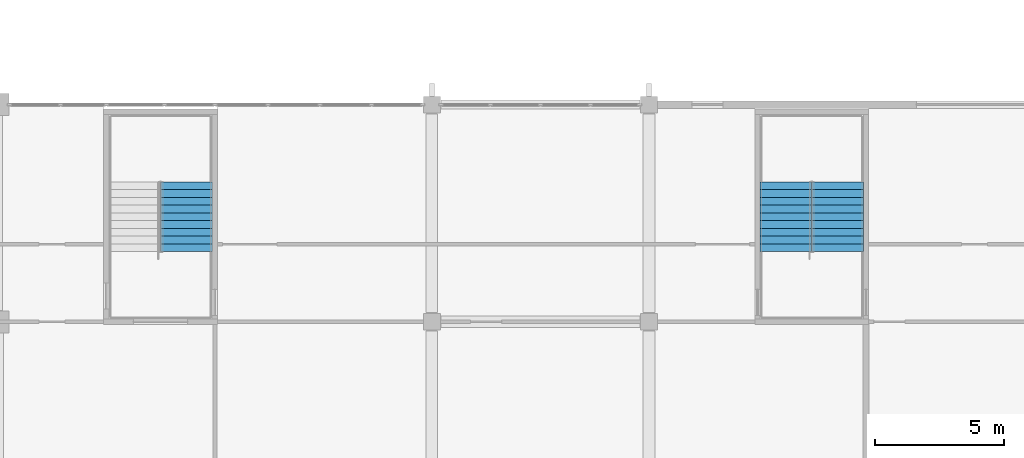
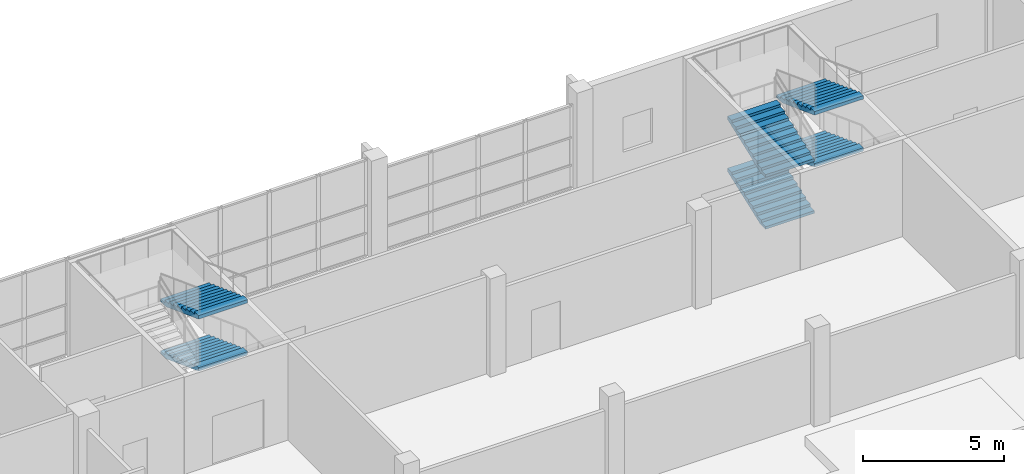
# One storey, part 46 of 64: 6 stair flights, 2 elements without a shape of their own.
"""IFC4 building model written with IfcOpenShell, lengths in metres."""

from ifc_helpers import new_model, si_unit, direction, frame, origin, place, context, subcontext, project, spatial, faceted_brep, material, type_object, element, aggregate, save


model = new_model("IFC4")

# Units and contexts
model_context = context("Model", 3, precision=1e-05, world=origin(), true_north=direction((0.0, 1.0)))
body_context = subcontext(model_context, "Body", "Model", "MODEL_VIEW")
ifc_project = project(units=[si_unit("LENGTHUNIT", "METRE"), si_unit("AREAUNIT", "SQUARE_METRE"), si_unit("VOLUMEUNIT", "CUBIC_METRE"), si_unit("PLANEANGLEUNIT", "RADIAN"), si_unit("MASSUNIT", "GRAM", prefix="KILO")], contexts=[model_context])

# Site, building, storey
site_placement = place(None, origin())
site = spatial("IfcSite", under=ifc_project, at=site_placement, CompositionType="ELEMENT")
building_placement = place(site_placement, origin())
building = spatial("IfcBuilding", under=site, at=building_placement, Name="Rulbaag Community and Learning Centre", CompositionType="ELEMENT")
storey_placement = place(building_placement, frame((0.0, 0.0, 5.39990234375)))
storey = spatial("IfcBuildingStorey", under=building, at=storey_placement, Name="L01", CompositionType="ELEMENT", Elevation=5.39990234375)

# Stair, stair flights
ifc_material = material(Name="Concrete M40", Category="concrete")
stair_type = type_object("IfcStairType", Name="ST-2000 STAIR 2000 WIDE", PredefinedType="HALF_TURN_STAIR", material=ifc_material)
stair_1_placement = place(storey_placement, origin())
stair_1 = element("IfcStair", 1, at=stair_1_placement, inside=storey, type_object=stair_type, Name="Stair ST-H6 L01", PredefinedType="HALF_TURN_STAIR")
stair_flight_type = type_object("IfcStairFlightType", Name="FL-2000 FLIGHT 2000 WIDE Concrete M40", PredefinedType="STRAIGHT", material=ifc_material)
stair_flight_1_placement = place(storey_placement, frame((91.300048828125, 47.41259765625, 1.125), z_axis=(0.0, 0.0, 1.0), x_axis=(0.0, -1.0, 0.0)))
stair_flight_1 = element("IfcStairFlight", 2, at=stair_flight_1_placement, type_object=stair_flight_type, Name="ST-H6 flight 2", NumberOfRisers=10, NumberOfTreads=9, PredefinedType="STRAIGHT", RiserHeight=0.1125, TreadLength=0.3, context=body_context, shape_type="Brep", body=[
    faceted_brep([(0.3984375, -1.0, 0.0), (2.699951171875, -1.0, 0.863037109375), (2.699951171875, -1.0, 1.012451171875), (2.39990234375, -1.0, 1.012451171875), (2.39990234375, -1.0, 0.89990234375), (2.10009765625, -1.0, 0.89990234375), (2.10009765625, -1.0, 0.78759765625), (1.800048828125, -1.0, 0.78759765625), (1.800048828125, -1.0, 0.675048828125), (1.5, -1.0, 0.675048828125), (1.5, -1.0, 0.5625), (1.199951171875, -1.0, 0.5625), (1.199951171875, -1.0, 0.449951171875), (0.89990234375, -1.0, 0.449951171875), (0.89990234375, -1.0, 0.33740234375), (0.60009765625, -1.0, 0.33740234375), (0.60009765625, -1.0, 0.22509765625), (0.300048828125, -1.0, 0.22509765625), (0.300048828125, -1.0, 0.112548828125), (0.0, -1.0, 0.112548828125), (0.0, -1.0, 0.0), (0.0, 1.0, 0.0), (0.0, 1.0, 0.112548828125), (0.300048828125, 1.0, 0.112548828125), (0.300048828125, 1.0, 0.22509765625), (0.60009765625, 1.0, 0.22509765625), (0.60009765625, 1.0, 0.33740234375), (0.89990234375, 1.0, 0.33740234375), (0.89990234375, 1.0, 0.449951171875), (1.199951171875, 1.0, 0.449951171875), (1.199951171875, 1.0, 0.5625), (1.5, 1.0, 0.5625), (1.5, 1.0, 0.675048828125), (1.800048828125, 1.0, 0.675048828125), (1.800048828125, 1.0, 0.78759765625), (2.10009765625, 1.0, 0.78759765625), (2.10009765625, 1.0, 0.89990234375), (2.39990234375, 1.0, 0.89990234375), (2.39990234375, 1.0, 1.012451171875), (2.699951171875, 1.0, 1.012451171875), (2.699951171875, 1.0, 0.863037109375), (0.3984375, 1.0, 0.0), (0.0, -0.333251953125, 0.112548828125), (0.0, -0.333251953125, 0.0), (0.0, 0.333251953125, 0.112548828125), (0.0, 0.333251953125, 0.0), (0.300048828125, -0.333251953125, 0.112548828125), (0.300048828125, 0.333251953125, 0.112548828125), (0.300048828125, -0.333251953125, 0.22509765625), (0.300048828125, 0.333251953125, 0.22509765625), (0.60009765625, -0.333251953125, 0.22509765625), (0.60009765625, 0.333251953125, 0.22509765625), (0.60009765625, -0.333251953125, 0.33740234375), (0.60009765625, 0.333251953125, 0.33740234375), (0.89990234375, -0.333251953125, 0.33740234375), (0.89990234375, 0.333251953125, 0.33740234375), (0.89990234375, -0.333251953125, 0.449951171875), (0.89990234375, 0.333251953125, 0.449951171875), (1.199951171875, -0.333251953125, 0.449951171875), (1.199951171875, 0.333251953125, 0.449951171875), (1.199951171875, -0.333251953125, 0.5625), (1.199951171875, 0.333251953125, 0.5625), (1.5, -0.333251953125, 0.5625), (1.5, 0.333251953125, 0.5625), (1.5, -0.333251953125, 0.675048828125), (1.5, 0.333251953125, 0.675048828125), (1.800048828125, -0.333251953125, 0.675048828125), (1.800048828125, 0.333251953125, 0.675048828125), (1.800048828125, -0.333251953125, 0.78759765625), (1.800048828125, 0.333251953125, 0.78759765625), (2.10009765625, -0.333251953125, 0.78759765625), (2.10009765625, 0.333251953125, 0.78759765625), (2.10009765625, -0.333251953125, 0.89990234375), (2.10009765625, 0.333251953125, 0.89990234375), (2.39990234375, -0.333251953125, 0.89990234375), (2.39990234375, 0.333251953125, 0.89990234375), (2.39990234375, -0.333251953125, 1.012451171875), (2.39990234375, 0.333251953125, 1.012451171875), (2.699951171875, -0.333251953125, 1.012451171875), (2.699951171875, 0.333251953125, 1.012451171875), (2.699951171875, -0.333251953125, 0.863037109375), (2.699951171875, 0.333251953125, 0.863037109375), (0.3984375, -0.333251953125, 0.0), (0.3984375, 0.333251953125, 0.0)], [[[0, 1, 2, 3, 4, 5, 6, 7, 8, 9, 10, 11, 12, 13, 14, 15, 16, 17, 18, 19, 20]], [[21, 22, 23, 24, 25, 26, 27, 28, 29, 30, 31, 32, 33, 34, 35, 36, 37, 38, 39, 40, 41]], [[20, 19, 42, 43]], [[43, 42, 44, 45]], [[45, 44, 22, 21]], [[19, 18, 46, 42]], [[42, 46, 47, 44]], [[44, 47, 23, 22]], [[18, 17, 48, 46]], [[46, 48, 49, 47]], [[47, 49, 24, 23]], [[17, 16, 50, 48]], [[48, 50, 51, 49]], [[49, 51, 25, 24]], [[16, 15, 52, 50]], [[50, 52, 53, 51]], [[51, 53, 26, 25]], [[15, 14, 54, 52]], [[52, 54, 55, 53]], [[53, 55, 27, 26]], [[14, 13, 56, 54]], [[54, 56, 57, 55]], [[55, 57, 28, 27]], [[13, 12, 58, 56]], [[56, 58, 59, 57]], [[57, 59, 29, 28]], [[12, 11, 60, 58]], [[58, 60, 61, 59]], [[59, 61, 30, 29]], [[11, 10, 62, 60]], [[60, 62, 63, 61]], [[61, 63, 31, 30]], [[10, 9, 64, 62]], [[62, 64, 65, 63]], [[63, 65, 32, 31]], [[9, 8, 66, 64]], [[64, 66, 67, 65]], [[65, 67, 33, 32]], [[8, 7, 68, 66]], [[66, 68, 69, 67]], [[67, 69, 34, 33]], [[7, 6, 70, 68]], [[68, 70, 71, 69]], [[69, 71, 35, 34]], [[6, 5, 72, 70]], [[70, 72, 73, 71]], [[71, 73, 36, 35]], [[5, 4, 74, 72]], [[72, 74, 75, 73]], [[73, 75, 37, 36]], [[4, 3, 76, 74]], [[74, 76, 77, 75]], [[75, 77, 38, 37]], [[3, 2, 78, 76]], [[76, 78, 79, 77]], [[77, 79, 39, 38]], [[2, 1, 80, 78]], [[78, 80, 81, 79]], [[79, 81, 40, 39]], [[1, 0, 82, 80]], [[80, 82, 83, 81]], [[81, 83, 41, 40]], [[0, 20, 43, 82]], [[82, 43, 45, 83]], [[83, 45, 21, 41]]]),
])
stair_flight_2_placement = place(storey_placement, frame((91.300048828125, 47.41259765625, 3.375), z_axis=(0.0, 0.0, 1.0), x_axis=(0.0, -1.0, 0.0)))
stair_flight_2 = element("IfcStairFlight", 3, at=stair_flight_2_placement, type_object=stair_flight_type, Name="ST-H6 flight 4", NumberOfRisers=10, NumberOfTreads=9, PredefinedType="STRAIGHT", RiserHeight=0.1125, TreadLength=0.3, context=body_context, shape_type="Brep", body=[
    faceted_brep([(0.3984375, -1.0, 0.0), (2.699951171875, -1.0, 0.863037109375), (2.699951171875, -1.0, 1.012451171875), (2.39990234375, -1.0, 1.012451171875), (2.39990234375, -1.0, 0.89990234375), (2.10009765625, -1.0, 0.89990234375), (2.10009765625, -1.0, 0.78759765625), (1.800048828125, -1.0, 0.78759765625), (1.800048828125, -1.0, 0.675048828125), (1.5, -1.0, 0.675048828125), (1.5, -1.0, 0.5625), (1.199951171875, -1.0, 0.5625), (1.199951171875, -1.0, 0.449951171875), (0.89990234375, -1.0, 0.449951171875), (0.89990234375, -1.0, 0.33740234375), (0.60009765625, -1.0, 0.33740234375), (0.60009765625, -1.0, 0.22509765625), (0.300048828125, -1.0, 0.22509765625), (0.300048828125, -1.0, 0.112548828125), (0.0, -1.0, 0.112548828125), (0.0, -1.0, 0.0), (0.0, 1.0, 0.0), (0.0, 1.0, 0.112548828125), (0.300048828125, 1.0, 0.112548828125), (0.300048828125, 1.0, 0.22509765625), (0.60009765625, 1.0, 0.22509765625), (0.60009765625, 1.0, 0.33740234375), (0.89990234375, 1.0, 0.33740234375), (0.89990234375, 1.0, 0.449951171875), (1.199951171875, 1.0, 0.449951171875), (1.199951171875, 1.0, 0.5625), (1.5, 1.0, 0.5625), (1.5, 1.0, 0.675048828125), (1.800048828125, 1.0, 0.675048828125), (1.800048828125, 1.0, 0.78759765625), (2.10009765625, 1.0, 0.78759765625), (2.10009765625, 1.0, 0.89990234375), (2.39990234375, 1.0, 0.89990234375), (2.39990234375, 1.0, 1.012451171875), (2.699951171875, 1.0, 1.012451171875), (2.699951171875, 1.0, 0.863037109375), (0.3984375, 1.0, 0.0), (0.0, -0.333251953125, 0.112548828125), (0.0, -0.333251953125, 0.0), (0.0, 0.333251953125, 0.112548828125), (0.0, 0.333251953125, 0.0), (0.300048828125, -0.333251953125, 0.112548828125), (0.300048828125, 0.333251953125, 0.112548828125), (0.300048828125, -0.333251953125, 0.22509765625), (0.300048828125, 0.333251953125, 0.22509765625), (0.60009765625, -0.333251953125, 0.22509765625), (0.60009765625, 0.333251953125, 0.22509765625), (0.60009765625, -0.333251953125, 0.33740234375), (0.60009765625, 0.333251953125, 0.33740234375), (0.89990234375, -0.333251953125, 0.33740234375), (0.89990234375, 0.333251953125, 0.33740234375), (0.89990234375, -0.333251953125, 0.449951171875), (0.89990234375, 0.333251953125, 0.449951171875), (1.199951171875, -0.333251953125, 0.449951171875), (1.199951171875, 0.333251953125, 0.449951171875), (1.199951171875, -0.333251953125, 0.5625), (1.199951171875, 0.333251953125, 0.5625), (1.5, -0.333251953125, 0.5625), (1.5, 0.333251953125, 0.5625), (1.5, -0.333251953125, 0.675048828125), (1.5, 0.333251953125, 0.675048828125), (1.800048828125, -0.333251953125, 0.675048828125), (1.800048828125, 0.333251953125, 0.675048828125), (1.800048828125, -0.333251953125, 0.78759765625), (1.800048828125, 0.333251953125, 0.78759765625), (2.10009765625, -0.333251953125, 0.78759765625), (2.10009765625, 0.333251953125, 0.78759765625), (2.10009765625, -0.333251953125, 0.89990234375), (2.10009765625, 0.333251953125, 0.89990234375), (2.39990234375, -0.333251953125, 0.89990234375), (2.39990234375, 0.333251953125, 0.89990234375), (2.39990234375, -0.333251953125, 1.012451171875), (2.39990234375, 0.333251953125, 1.012451171875), (2.699951171875, -0.333251953125, 1.012451171875), (2.699951171875, 0.333251953125, 1.012451171875), (2.699951171875, -0.333251953125, 0.863037109375), (2.699951171875, 0.333251953125, 0.863037109375), (0.3984375, -0.333251953125, 0.0), (0.3984375, 0.333251953125, 0.0)], [[[0, 1, 2, 3, 4, 5, 6, 7, 8, 9, 10, 11, 12, 13, 14, 15, 16, 17, 18, 19, 20]], [[21, 22, 23, 24, 25, 26, 27, 28, 29, 30, 31, 32, 33, 34, 35, 36, 37, 38, 39, 40, 41]], [[20, 19, 42, 43]], [[43, 42, 44, 45]], [[45, 44, 22, 21]], [[19, 18, 46, 42]], [[42, 46, 47, 44]], [[44, 47, 23, 22]], [[18, 17, 48, 46]], [[46, 48, 49, 47]], [[47, 49, 24, 23]], [[17, 16, 50, 48]], [[48, 50, 51, 49]], [[49, 51, 25, 24]], [[16, 15, 52, 50]], [[50, 52, 53, 51]], [[51, 53, 26, 25]], [[15, 14, 54, 52]], [[52, 54, 55, 53]], [[53, 55, 27, 26]], [[14, 13, 56, 54]], [[54, 56, 57, 55]], [[55, 57, 28, 27]], [[13, 12, 58, 56]], [[56, 58, 59, 57]], [[57, 59, 29, 28]], [[12, 11, 60, 58]], [[58, 60, 61, 59]], [[59, 61, 30, 29]], [[11, 10, 62, 60]], [[60, 62, 63, 61]], [[61, 63, 31, 30]], [[10, 9, 64, 62]], [[62, 64, 65, 63]], [[63, 65, 32, 31]], [[9, 8, 66, 64]], [[64, 66, 67, 65]], [[65, 67, 33, 32]], [[8, 7, 68, 66]], [[66, 68, 69, 67]], [[67, 69, 34, 33]], [[7, 6, 70, 68]], [[68, 70, 71, 69]], [[69, 71, 35, 34]], [[6, 5, 72, 70]], [[70, 72, 73, 71]], [[71, 73, 36, 35]], [[5, 4, 74, 72]], [[72, 74, 75, 73]], [[73, 75, 37, 36]], [[4, 3, 76, 74]], [[74, 76, 77, 75]], [[75, 77, 38, 37]], [[3, 2, 78, 76]], [[76, 78, 79, 77]], [[77, 79, 39, 38]], [[2, 1, 80, 78]], [[78, 80, 81, 79]], [[79, 81, 40, 39]], [[1, 0, 82, 80]], [[80, 82, 83, 81]], [[81, 83, 41, 40]], [[0, 20, 43, 82]], [[82, 43, 45, 83]], [[83, 45, 21, 41]]]),
])
aggregate(stair_1, [stair_flight_1, stair_flight_2])

stair_2_placement = place(storey_placement, origin())
stair_2 = element("IfcStair", 4, at=stair_2_placement, inside=storey, type_object=stair_type, Name="Stair ST-H7 L01", PredefinedType="HALF_TURN_STAIR")
stair_flight_3_placement = place(storey_placement, frame((114.5, 44.71240234375, 0.0), z_axis=(0.0, 0.0, 1.0), x_axis=(0.0, 1.0, 0.0)))
stair_flight_3 = element("IfcStairFlight", 5, at=stair_flight_3_placement, type_object=stair_flight_type, Name="ST-H7 flight 1", NumberOfRisers=10, NumberOfTreads=9, PredefinedType="STRAIGHT", RiserHeight=0.1125, TreadLength=0.3, context=body_context, shape_type="Brep", body=[
    faceted_brep([(0.3984375, -1.0, 0.0), (2.699951171875, -1.0, 0.863037109375), (2.699951171875, -1.0, 1.012451171875), (2.39990234375, -1.0, 1.012451171875), (2.39990234375, -1.0, 0.89990234375), (2.10009765625, -1.0, 0.89990234375), (2.10009765625, -1.0, 0.78759765625), (1.800048828125, -1.0, 0.78759765625), (1.800048828125, -1.0, 0.675048828125), (1.5, -1.0, 0.675048828125), (1.5, -1.0, 0.5625), (1.199951171875, -1.0, 0.5625), (1.199951171875, -1.0, 0.449951171875), (0.89990234375, -1.0, 0.449951171875), (0.89990234375, -1.0, 0.33740234375), (0.60009765625, -1.0, 0.33740234375), (0.60009765625, -1.0, 0.22509765625), (0.300048828125, -1.0, 0.22509765625), (0.300048828125, -1.0, 0.112548828125), (0.0, -1.0, 0.112548828125), (0.0, -1.0, 0.0), (0.0, 1.0, 0.0), (0.0, 1.0, 0.112548828125), (0.300048828125, 1.0, 0.112548828125), (0.300048828125, 1.0, 0.22509765625), (0.60009765625, 1.0, 0.22509765625), (0.60009765625, 1.0, 0.33740234375), (0.89990234375, 1.0, 0.33740234375), (0.89990234375, 1.0, 0.449951171875), (1.199951171875, 1.0, 0.449951171875), (1.199951171875, 1.0, 0.5625), (1.5, 1.0, 0.5625), (1.5, 1.0, 0.675048828125), (1.800048828125, 1.0, 0.675048828125), (1.800048828125, 1.0, 0.78759765625), (2.10009765625, 1.0, 0.78759765625), (2.10009765625, 1.0, 0.89990234375), (2.39990234375, 1.0, 0.89990234375), (2.39990234375, 1.0, 1.012451171875), (2.699951171875, 1.0, 1.012451171875), (2.699951171875, 1.0, 0.863037109375), (0.3984375, 1.0, 0.0), (0.0, -0.333251953125, 0.112548828125), (0.0, -0.333251953125, 0.0), (0.0, 0.333251953125, 0.112548828125), (0.0, 0.333251953125, 0.0), (0.300048828125, -0.333251953125, 0.112548828125), (0.300048828125, 0.333251953125, 0.112548828125), (0.300048828125, -0.333251953125, 0.22509765625), (0.300048828125, 0.333251953125, 0.22509765625), (0.60009765625, -0.333251953125, 0.22509765625), (0.60009765625, 0.333251953125, 0.22509765625), (0.60009765625, -0.333251953125, 0.33740234375), (0.60009765625, 0.333251953125, 0.33740234375), (0.89990234375, -0.333251953125, 0.33740234375), (0.89990234375, 0.333251953125, 0.33740234375), (0.89990234375, -0.333251953125, 0.449951171875), (0.89990234375, 0.333251953125, 0.449951171875), (1.199951171875, -0.333251953125, 0.449951171875), (1.199951171875, 0.333251953125, 0.449951171875), (1.199951171875, -0.333251953125, 0.5625), (1.199951171875, 0.333251953125, 0.5625), (1.5, -0.333251953125, 0.5625), (1.5, 0.333251953125, 0.5625), (1.5, -0.333251953125, 0.675048828125), (1.5, 0.333251953125, 0.675048828125), (1.800048828125, -0.333251953125, 0.675048828125), (1.800048828125, 0.333251953125, 0.675048828125), (1.800048828125, -0.333251953125, 0.78759765625), (1.800048828125, 0.333251953125, 0.78759765625), (2.10009765625, -0.333251953125, 0.78759765625), (2.10009765625, 0.333251953125, 0.78759765625), (2.10009765625, -0.333251953125, 0.89990234375), (2.10009765625, 0.333251953125, 0.89990234375), (2.39990234375, -0.333251953125, 0.89990234375), (2.39990234375, 0.333251953125, 0.89990234375), (2.39990234375, -0.333251953125, 1.012451171875), (2.39990234375, 0.333251953125, 1.012451171875), (2.699951171875, -0.333251953125, 1.012451171875), (2.699951171875, 0.333251953125, 1.012451171875), (2.699951171875, -0.333251953125, 0.863037109375), (2.699951171875, 0.333251953125, 0.863037109375), (0.3984375, -0.333251953125, 0.0), (0.3984375, 0.333251953125, 0.0)], [[[0, 1, 2, 3, 4, 5, 6, 7, 8, 9, 10, 11, 12, 13, 14, 15, 16, 17, 18, 19, 20]], [[21, 22, 23, 24, 25, 26, 27, 28, 29, 30, 31, 32, 33, 34, 35, 36, 37, 38, 39, 40, 41]], [[20, 19, 42, 43]], [[43, 42, 44, 45]], [[45, 44, 22, 21]], [[19, 18, 46, 42]], [[42, 46, 47, 44]], [[44, 47, 23, 22]], [[18, 17, 48, 46]], [[46, 48, 49, 47]], [[47, 49, 24, 23]], [[17, 16, 50, 48]], [[48, 50, 51, 49]], [[49, 51, 25, 24]], [[16, 15, 52, 50]], [[50, 52, 53, 51]], [[51, 53, 26, 25]], [[15, 14, 54, 52]], [[52, 54, 55, 53]], [[53, 55, 27, 26]], [[14, 13, 56, 54]], [[54, 56, 57, 55]], [[55, 57, 28, 27]], [[13, 12, 58, 56]], [[56, 58, 59, 57]], [[57, 59, 29, 28]], [[12, 11, 60, 58]], [[58, 60, 61, 59]], [[59, 61, 30, 29]], [[11, 10, 62, 60]], [[60, 62, 63, 61]], [[61, 63, 31, 30]], [[10, 9, 64, 62]], [[62, 64, 65, 63]], [[63, 65, 32, 31]], [[9, 8, 66, 64]], [[64, 66, 67, 65]], [[65, 67, 33, 32]], [[8, 7, 68, 66]], [[66, 68, 69, 67]], [[67, 69, 34, 33]], [[7, 6, 70, 68]], [[68, 70, 71, 69]], [[69, 71, 35, 34]], [[6, 5, 72, 70]], [[70, 72, 73, 71]], [[71, 73, 36, 35]], [[5, 4, 74, 72]], [[72, 74, 75, 73]], [[73, 75, 37, 36]], [[4, 3, 76, 74]], [[74, 76, 77, 75]], [[75, 77, 38, 37]], [[3, 2, 78, 76]], [[76, 78, 79, 77]], [[77, 79, 39, 38]], [[2, 1, 80, 78]], [[78, 80, 81, 79]], [[79, 81, 40, 39]], [[1, 0, 82, 80]], [[80, 82, 83, 81]], [[81, 83, 41, 40]], [[0, 20, 43, 82]], [[82, 43, 45, 83]], [[83, 45, 21, 41]]]),
])
stair_flight_4_placement = place(storey_placement, frame((116.5, 47.41259765625, 1.125), z_axis=(0.0, 0.0, 1.0), x_axis=(0.0, -1.0, 0.0)))
stair_flight_4 = element("IfcStairFlight", 6, at=stair_flight_4_placement, type_object=stair_flight_type, Name="ST-H7 flight 2", NumberOfRisers=10, NumberOfTreads=9, PredefinedType="STRAIGHT", RiserHeight=0.1125, TreadLength=0.3, context=body_context, shape_type="Brep", body=[
    faceted_brep([(0.3984375, -1.0, 0.0), (2.699951171875, -1.0, 0.863037109375), (2.699951171875, -1.0, 1.012451171875), (2.39990234375, -1.0, 1.012451171875), (2.39990234375, -1.0, 0.89990234375), (2.10009765625, -1.0, 0.89990234375), (2.10009765625, -1.0, 0.78759765625), (1.800048828125, -1.0, 0.78759765625), (1.800048828125, -1.0, 0.675048828125), (1.5, -1.0, 0.675048828125), (1.5, -1.0, 0.5625), (1.199951171875, -1.0, 0.5625), (1.199951171875, -1.0, 0.449951171875), (0.89990234375, -1.0, 0.449951171875), (0.89990234375, -1.0, 0.33740234375), (0.60009765625, -1.0, 0.33740234375), (0.60009765625, -1.0, 0.22509765625), (0.300048828125, -1.0, 0.22509765625), (0.300048828125, -1.0, 0.112548828125), (0.0, -1.0, 0.112548828125), (0.0, -1.0, 0.0), (0.0, 1.0, 0.0), (0.0, 1.0, 0.112548828125), (0.300048828125, 1.0, 0.112548828125), (0.300048828125, 1.0, 0.22509765625), (0.60009765625, 1.0, 0.22509765625), (0.60009765625, 1.0, 0.33740234375), (0.89990234375, 1.0, 0.33740234375), (0.89990234375, 1.0, 0.449951171875), (1.199951171875, 1.0, 0.449951171875), (1.199951171875, 1.0, 0.5625), (1.5, 1.0, 0.5625), (1.5, 1.0, 0.675048828125), (1.800048828125, 1.0, 0.675048828125), (1.800048828125, 1.0, 0.78759765625), (2.10009765625, 1.0, 0.78759765625), (2.10009765625, 1.0, 0.89990234375), (2.39990234375, 1.0, 0.89990234375), (2.39990234375, 1.0, 1.012451171875), (2.699951171875, 1.0, 1.012451171875), (2.699951171875, 1.0, 0.863037109375), (0.3984375, 1.0, 0.0), (0.0, -0.333251953125, 0.112548828125), (0.0, -0.333251953125, 0.0), (0.0, 0.333251953125, 0.112548828125), (0.0, 0.333251953125, 0.0), (0.300048828125, -0.333251953125, 0.112548828125), (0.300048828125, 0.333251953125, 0.112548828125), (0.300048828125, -0.333251953125, 0.22509765625), (0.300048828125, 0.333251953125, 0.22509765625), (0.60009765625, -0.333251953125, 0.22509765625), (0.60009765625, 0.333251953125, 0.22509765625), (0.60009765625, -0.333251953125, 0.33740234375), (0.60009765625, 0.333251953125, 0.33740234375), (0.89990234375, -0.333251953125, 0.33740234375), (0.89990234375, 0.333251953125, 0.33740234375), (0.89990234375, -0.333251953125, 0.449951171875), (0.89990234375, 0.333251953125, 0.449951171875), (1.199951171875, -0.333251953125, 0.449951171875), (1.199951171875, 0.333251953125, 0.449951171875), (1.199951171875, -0.333251953125, 0.5625), (1.199951171875, 0.333251953125, 0.5625), (1.5, -0.333251953125, 0.5625), (1.5, 0.333251953125, 0.5625), (1.5, -0.333251953125, 0.675048828125), (1.5, 0.333251953125, 0.675048828125), (1.800048828125, -0.333251953125, 0.675048828125), (1.800048828125, 0.333251953125, 0.675048828125), (1.800048828125, -0.333251953125, 0.78759765625), (1.800048828125, 0.333251953125, 0.78759765625), (2.10009765625, -0.333251953125, 0.78759765625), (2.10009765625, 0.333251953125, 0.78759765625), (2.10009765625, -0.333251953125, 0.89990234375), (2.10009765625, 0.333251953125, 0.89990234375), (2.39990234375, -0.333251953125, 0.89990234375), (2.39990234375, 0.333251953125, 0.89990234375), (2.39990234375, -0.333251953125, 1.012451171875), (2.39990234375, 0.333251953125, 1.012451171875), (2.699951171875, -0.333251953125, 1.012451171875), (2.699951171875, 0.333251953125, 1.012451171875), (2.699951171875, -0.333251953125, 0.863037109375), (2.699951171875, 0.333251953125, 0.863037109375), (0.3984375, -0.333251953125, 0.0), (0.3984375, 0.333251953125, 0.0)], [[[0, 1, 2, 3, 4, 5, 6, 7, 8, 9, 10, 11, 12, 13, 14, 15, 16, 17, 18, 19, 20]], [[21, 22, 23, 24, 25, 26, 27, 28, 29, 30, 31, 32, 33, 34, 35, 36, 37, 38, 39, 40, 41]], [[20, 19, 42, 43]], [[43, 42, 44, 45]], [[45, 44, 22, 21]], [[19, 18, 46, 42]], [[42, 46, 47, 44]], [[44, 47, 23, 22]], [[18, 17, 48, 46]], [[46, 48, 49, 47]], [[47, 49, 24, 23]], [[17, 16, 50, 48]], [[48, 50, 51, 49]], [[49, 51, 25, 24]], [[16, 15, 52, 50]], [[50, 52, 53, 51]], [[51, 53, 26, 25]], [[15, 14, 54, 52]], [[52, 54, 55, 53]], [[53, 55, 27, 26]], [[14, 13, 56, 54]], [[54, 56, 57, 55]], [[55, 57, 28, 27]], [[13, 12, 58, 56]], [[56, 58, 59, 57]], [[57, 59, 29, 28]], [[12, 11, 60, 58]], [[58, 60, 61, 59]], [[59, 61, 30, 29]], [[11, 10, 62, 60]], [[60, 62, 63, 61]], [[61, 63, 31, 30]], [[10, 9, 64, 62]], [[62, 64, 65, 63]], [[63, 65, 32, 31]], [[9, 8, 66, 64]], [[64, 66, 67, 65]], [[65, 67, 33, 32]], [[8, 7, 68, 66]], [[66, 68, 69, 67]], [[67, 69, 34, 33]], [[7, 6, 70, 68]], [[68, 70, 71, 69]], [[69, 71, 35, 34]], [[6, 5, 72, 70]], [[70, 72, 73, 71]], [[71, 73, 36, 35]], [[5, 4, 74, 72]], [[72, 74, 75, 73]], [[73, 75, 37, 36]], [[4, 3, 76, 74]], [[74, 76, 77, 75]], [[75, 77, 38, 37]], [[3, 2, 78, 76]], [[76, 78, 79, 77]], [[77, 79, 39, 38]], [[2, 1, 80, 78]], [[78, 80, 81, 79]], [[79, 81, 40, 39]], [[1, 0, 82, 80]], [[80, 82, 83, 81]], [[81, 83, 41, 40]], [[0, 20, 43, 82]], [[82, 43, 45, 83]], [[83, 45, 21, 41]]]),
])
stair_flight_5_placement = place(storey_placement, frame((114.5, 44.71240234375, 2.25), z_axis=(0.0, 0.0, 1.0), x_axis=(0.0, 1.0, 0.0)))
stair_flight_5 = element("IfcStairFlight", 7, at=stair_flight_5_placement, type_object=stair_flight_type, Name="ST-H7 flight 3", NumberOfRisers=10, NumberOfTreads=9, PredefinedType="STRAIGHT", RiserHeight=0.1125, TreadLength=0.3, context=body_context, shape_type="Brep", body=[
    faceted_brep([(0.3984375, -1.0, 0.0), (2.699951171875, -1.0, 0.863037109375), (2.699951171875, -1.0, 1.012451171875), (2.39990234375, -1.0, 1.012451171875), (2.39990234375, -1.0, 0.89990234375), (2.10009765625, -1.0, 0.89990234375), (2.10009765625, -1.0, 0.78759765625), (1.800048828125, -1.0, 0.78759765625), (1.800048828125, -1.0, 0.675048828125), (1.5, -1.0, 0.675048828125), (1.5, -1.0, 0.5625), (1.199951171875, -1.0, 0.5625), (1.199951171875, -1.0, 0.449951171875), (0.89990234375, -1.0, 0.449951171875), (0.89990234375, -1.0, 0.33740234375), (0.60009765625, -1.0, 0.33740234375), (0.60009765625, -1.0, 0.22509765625), (0.300048828125, -1.0, 0.22509765625), (0.300048828125, -1.0, 0.112548828125), (0.0, -1.0, 0.112548828125), (0.0, -1.0, 0.0), (0.0, 1.0, 0.0), (0.0, 1.0, 0.112548828125), (0.300048828125, 1.0, 0.112548828125), (0.300048828125, 1.0, 0.22509765625), (0.60009765625, 1.0, 0.22509765625), (0.60009765625, 1.0, 0.33740234375), (0.89990234375, 1.0, 0.33740234375), (0.89990234375, 1.0, 0.449951171875), (1.199951171875, 1.0, 0.449951171875), (1.199951171875, 1.0, 0.5625), (1.5, 1.0, 0.5625), (1.5, 1.0, 0.675048828125), (1.800048828125, 1.0, 0.675048828125), (1.800048828125, 1.0, 0.78759765625), (2.10009765625, 1.0, 0.78759765625), (2.10009765625, 1.0, 0.89990234375), (2.39990234375, 1.0, 0.89990234375), (2.39990234375, 1.0, 1.012451171875), (2.699951171875, 1.0, 1.012451171875), (2.699951171875, 1.0, 0.863037109375), (0.3984375, 1.0, 0.0), (0.0, -0.333251953125, 0.112548828125), (0.0, -0.333251953125, 0.0), (0.0, 0.333251953125, 0.112548828125), (0.0, 0.333251953125, 0.0), (0.300048828125, -0.333251953125, 0.112548828125), (0.300048828125, 0.333251953125, 0.112548828125), (0.300048828125, -0.333251953125, 0.22509765625), (0.300048828125, 0.333251953125, 0.22509765625), (0.60009765625, -0.333251953125, 0.22509765625), (0.60009765625, 0.333251953125, 0.22509765625), (0.60009765625, -0.333251953125, 0.33740234375), (0.60009765625, 0.333251953125, 0.33740234375), (0.89990234375, -0.333251953125, 0.33740234375), (0.89990234375, 0.333251953125, 0.33740234375), (0.89990234375, -0.333251953125, 0.449951171875), (0.89990234375, 0.333251953125, 0.449951171875), (1.199951171875, -0.333251953125, 0.449951171875), (1.199951171875, 0.333251953125, 0.449951171875), (1.199951171875, -0.333251953125, 0.5625), (1.199951171875, 0.333251953125, 0.5625), (1.5, -0.333251953125, 0.5625), (1.5, 0.333251953125, 0.5625), (1.5, -0.333251953125, 0.675048828125), (1.5, 0.333251953125, 0.675048828125), (1.800048828125, -0.333251953125, 0.675048828125), (1.800048828125, 0.333251953125, 0.675048828125), (1.800048828125, -0.333251953125, 0.78759765625), (1.800048828125, 0.333251953125, 0.78759765625), (2.10009765625, -0.333251953125, 0.78759765625), (2.10009765625, 0.333251953125, 0.78759765625), (2.10009765625, -0.333251953125, 0.89990234375), (2.10009765625, 0.333251953125, 0.89990234375), (2.39990234375, -0.333251953125, 0.89990234375), (2.39990234375, 0.333251953125, 0.89990234375), (2.39990234375, -0.333251953125, 1.012451171875), (2.39990234375, 0.333251953125, 1.012451171875), (2.699951171875, -0.333251953125, 1.012451171875), (2.699951171875, 0.333251953125, 1.012451171875), (2.699951171875, -0.333251953125, 0.863037109375), (2.699951171875, 0.333251953125, 0.863037109375), (0.3984375, -0.333251953125, 0.0), (0.3984375, 0.333251953125, 0.0)], [[[0, 1, 2, 3, 4, 5, 6, 7, 8, 9, 10, 11, 12, 13, 14, 15, 16, 17, 18, 19, 20]], [[21, 22, 23, 24, 25, 26, 27, 28, 29, 30, 31, 32, 33, 34, 35, 36, 37, 38, 39, 40, 41]], [[20, 19, 42, 43]], [[43, 42, 44, 45]], [[45, 44, 22, 21]], [[19, 18, 46, 42]], [[42, 46, 47, 44]], [[44, 47, 23, 22]], [[18, 17, 48, 46]], [[46, 48, 49, 47]], [[47, 49, 24, 23]], [[17, 16, 50, 48]], [[48, 50, 51, 49]], [[49, 51, 25, 24]], [[16, 15, 52, 50]], [[50, 52, 53, 51]], [[51, 53, 26, 25]], [[15, 14, 54, 52]], [[52, 54, 55, 53]], [[53, 55, 27, 26]], [[14, 13, 56, 54]], [[54, 56, 57, 55]], [[55, 57, 28, 27]], [[13, 12, 58, 56]], [[56, 58, 59, 57]], [[57, 59, 29, 28]], [[12, 11, 60, 58]], [[58, 60, 61, 59]], [[59, 61, 30, 29]], [[11, 10, 62, 60]], [[60, 62, 63, 61]], [[61, 63, 31, 30]], [[10, 9, 64, 62]], [[62, 64, 65, 63]], [[63, 65, 32, 31]], [[9, 8, 66, 64]], [[64, 66, 67, 65]], [[65, 67, 33, 32]], [[8, 7, 68, 66]], [[66, 68, 69, 67]], [[67, 69, 34, 33]], [[7, 6, 70, 68]], [[68, 70, 71, 69]], [[69, 71, 35, 34]], [[6, 5, 72, 70]], [[70, 72, 73, 71]], [[71, 73, 36, 35]], [[5, 4, 74, 72]], [[72, 74, 75, 73]], [[73, 75, 37, 36]], [[4, 3, 76, 74]], [[74, 76, 77, 75]], [[75, 77, 38, 37]], [[3, 2, 78, 76]], [[76, 78, 79, 77]], [[77, 79, 39, 38]], [[2, 1, 80, 78]], [[78, 80, 81, 79]], [[79, 81, 40, 39]], [[1, 0, 82, 80]], [[80, 82, 83, 81]], [[81, 83, 41, 40]], [[0, 20, 43, 82]], [[82, 43, 45, 83]], [[83, 45, 21, 41]]]),
])
stair_flight_6_placement = place(storey_placement, frame((116.5, 47.41259765625, 3.375), z_axis=(0.0, 0.0, 1.0), x_axis=(0.0, -1.0, 0.0)))
stair_flight_6 = element("IfcStairFlight", 8, at=stair_flight_6_placement, type_object=stair_flight_type, Name="ST-H7 flight 4", NumberOfRisers=10, NumberOfTreads=9, PredefinedType="STRAIGHT", RiserHeight=0.1125, TreadLength=0.3, context=body_context, shape_type="Brep", body=[
    faceted_brep([(0.3984375, -1.0, 0.0), (2.699951171875, -1.0, 0.863037109375), (2.699951171875, -1.0, 1.012451171875), (2.39990234375, -1.0, 1.012451171875), (2.39990234375, -1.0, 0.89990234375), (2.10009765625, -1.0, 0.89990234375), (2.10009765625, -1.0, 0.78759765625), (1.800048828125, -1.0, 0.78759765625), (1.800048828125, -1.0, 0.675048828125), (1.5, -1.0, 0.675048828125), (1.5, -1.0, 0.5625), (1.199951171875, -1.0, 0.5625), (1.199951171875, -1.0, 0.449951171875), (0.89990234375, -1.0, 0.449951171875), (0.89990234375, -1.0, 0.33740234375), (0.60009765625, -1.0, 0.33740234375), (0.60009765625, -1.0, 0.22509765625), (0.300048828125, -1.0, 0.22509765625), (0.300048828125, -1.0, 0.112548828125), (0.0, -1.0, 0.112548828125), (0.0, -1.0, 0.0), (0.0, 1.0, 0.0), (0.0, 1.0, 0.112548828125), (0.300048828125, 1.0, 0.112548828125), (0.300048828125, 1.0, 0.22509765625), (0.60009765625, 1.0, 0.22509765625), (0.60009765625, 1.0, 0.33740234375), (0.89990234375, 1.0, 0.33740234375), (0.89990234375, 1.0, 0.449951171875), (1.199951171875, 1.0, 0.449951171875), (1.199951171875, 1.0, 0.5625), (1.5, 1.0, 0.5625), (1.5, 1.0, 0.675048828125), (1.800048828125, 1.0, 0.675048828125), (1.800048828125, 1.0, 0.78759765625), (2.10009765625, 1.0, 0.78759765625), (2.10009765625, 1.0, 0.89990234375), (2.39990234375, 1.0, 0.89990234375), (2.39990234375, 1.0, 1.012451171875), (2.699951171875, 1.0, 1.012451171875), (2.699951171875, 1.0, 0.863037109375), (0.3984375, 1.0, 0.0), (0.0, -0.333251953125, 0.112548828125), (0.0, -0.333251953125, 0.0), (0.0, 0.333251953125, 0.112548828125), (0.0, 0.333251953125, 0.0), (0.300048828125, -0.333251953125, 0.112548828125), (0.300048828125, 0.333251953125, 0.112548828125), (0.300048828125, -0.333251953125, 0.22509765625), (0.300048828125, 0.333251953125, 0.22509765625), (0.60009765625, -0.333251953125, 0.22509765625), (0.60009765625, 0.333251953125, 0.22509765625), (0.60009765625, -0.333251953125, 0.33740234375), (0.60009765625, 0.333251953125, 0.33740234375), (0.89990234375, -0.333251953125, 0.33740234375), (0.89990234375, 0.333251953125, 0.33740234375), (0.89990234375, -0.333251953125, 0.449951171875), (0.89990234375, 0.333251953125, 0.449951171875), (1.199951171875, -0.333251953125, 0.449951171875), (1.199951171875, 0.333251953125, 0.449951171875), (1.199951171875, -0.333251953125, 0.5625), (1.199951171875, 0.333251953125, 0.5625), (1.5, -0.333251953125, 0.5625), (1.5, 0.333251953125, 0.5625), (1.5, -0.333251953125, 0.675048828125), (1.5, 0.333251953125, 0.675048828125), (1.800048828125, -0.333251953125, 0.675048828125), (1.800048828125, 0.333251953125, 0.675048828125), (1.800048828125, -0.333251953125, 0.78759765625), (1.800048828125, 0.333251953125, 0.78759765625), (2.10009765625, -0.333251953125, 0.78759765625), (2.10009765625, 0.333251953125, 0.78759765625), (2.10009765625, -0.333251953125, 0.89990234375), (2.10009765625, 0.333251953125, 0.89990234375), (2.39990234375, -0.333251953125, 0.89990234375), (2.39990234375, 0.333251953125, 0.89990234375), (2.39990234375, -0.333251953125, 1.012451171875), (2.39990234375, 0.333251953125, 1.012451171875), (2.699951171875, -0.333251953125, 1.012451171875), (2.699951171875, 0.333251953125, 1.012451171875), (2.699951171875, -0.333251953125, 0.863037109375), (2.699951171875, 0.333251953125, 0.863037109375), (0.3984375, -0.333251953125, 0.0), (0.3984375, 0.333251953125, 0.0)], [[[0, 1, 2, 3, 4, 5, 6, 7, 8, 9, 10, 11, 12, 13, 14, 15, 16, 17, 18, 19, 20]], [[21, 22, 23, 24, 25, 26, 27, 28, 29, 30, 31, 32, 33, 34, 35, 36, 37, 38, 39, 40, 41]], [[20, 19, 42, 43]], [[43, 42, 44, 45]], [[45, 44, 22, 21]], [[19, 18, 46, 42]], [[42, 46, 47, 44]], [[44, 47, 23, 22]], [[18, 17, 48, 46]], [[46, 48, 49, 47]], [[47, 49, 24, 23]], [[17, 16, 50, 48]], [[48, 50, 51, 49]], [[49, 51, 25, 24]], [[16, 15, 52, 50]], [[50, 52, 53, 51]], [[51, 53, 26, 25]], [[15, 14, 54, 52]], [[52, 54, 55, 53]], [[53, 55, 27, 26]], [[14, 13, 56, 54]], [[54, 56, 57, 55]], [[55, 57, 28, 27]], [[13, 12, 58, 56]], [[56, 58, 59, 57]], [[57, 59, 29, 28]], [[12, 11, 60, 58]], [[58, 60, 61, 59]], [[59, 61, 30, 29]], [[11, 10, 62, 60]], [[60, 62, 63, 61]], [[61, 63, 31, 30]], [[10, 9, 64, 62]], [[62, 64, 65, 63]], [[63, 65, 32, 31]], [[9, 8, 66, 64]], [[64, 66, 67, 65]], [[65, 67, 33, 32]], [[8, 7, 68, 66]], [[66, 68, 69, 67]], [[67, 69, 34, 33]], [[7, 6, 70, 68]], [[68, 70, 71, 69]], [[69, 71, 35, 34]], [[6, 5, 72, 70]], [[70, 72, 73, 71]], [[71, 73, 36, 35]], [[5, 4, 74, 72]], [[72, 74, 75, 73]], [[73, 75, 37, 36]], [[4, 3, 76, 74]], [[74, 76, 77, 75]], [[75, 77, 38, 37]], [[3, 2, 78, 76]], [[76, 78, 79, 77]], [[77, 79, 39, 38]], [[2, 1, 80, 78]], [[78, 80, 81, 79]], [[79, 81, 40, 39]], [[1, 0, 82, 80]], [[80, 82, 83, 81]], [[81, 83, 41, 40]], [[0, 20, 43, 82]], [[82, 43, 45, 83]], [[83, 45, 21, 41]]]),
])
aggregate(stair_2, [stair_flight_3, stair_flight_4, stair_flight_5, stair_flight_6])

save(model, "model.ifc")
